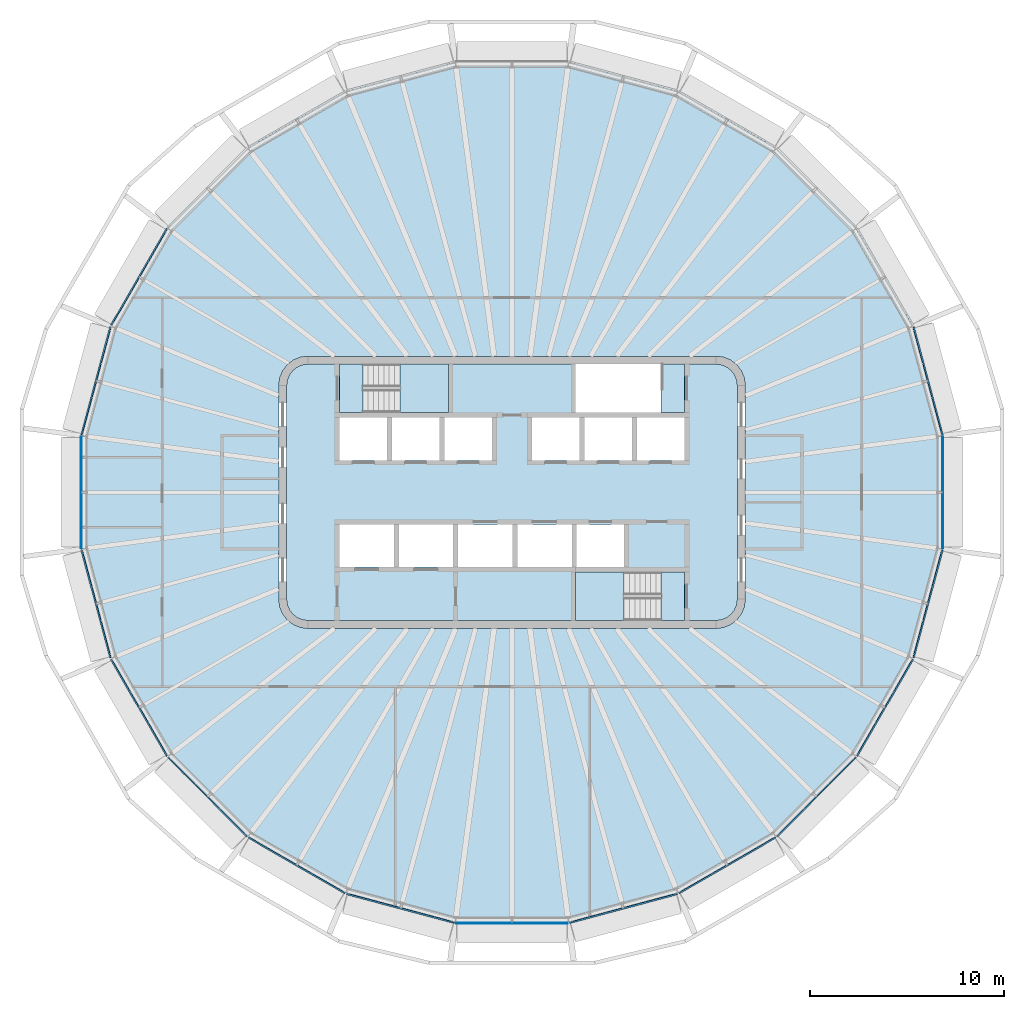
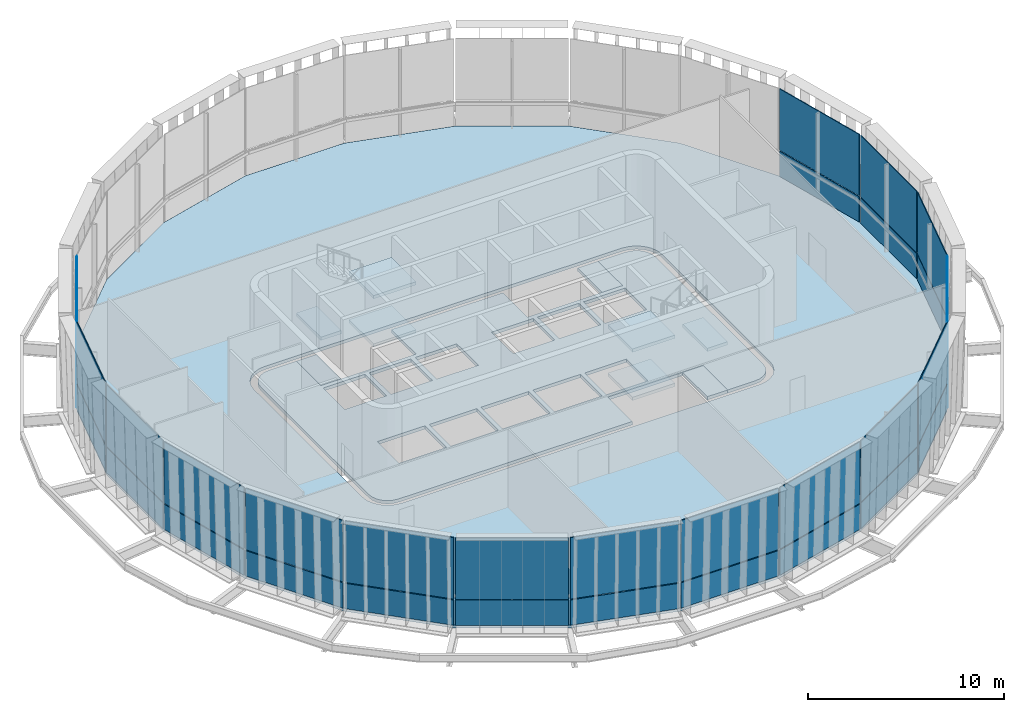
# One storey, part 5 of 14: 32 plates, 11 slabs, 18 elements without a shape of their own.
"""IFC4 building model written with IfcOpenShell, lengths in metres."""

from ifc_helpers import new_model, si_unit, direction, frame, origin, place, context, subcontext, project, spatial, polyline, outline, extrude, material, layer, layer_set, type_object, element, aggregate, save


model = new_model("IFC4")

# Units and contexts
model_context = context("Model", 3, precision=1e-05, world=origin(), true_north=direction((0.0, 1.0)))
body_context = subcontext(model_context, "Body", "Model", "MODEL_VIEW")
ifc_project = project(units=[si_unit("LENGTHUNIT", "METRE"), si_unit("AREAUNIT", "SQUARE_METRE"), si_unit("VOLUMEUNIT", "CUBIC_METRE"), si_unit("PLANEANGLEUNIT", "RADIAN"), si_unit("MASSUNIT", "GRAM", prefix="KILO")], contexts=[model_context])

# Site, building, storey
site_placement = place(None, origin())
site = spatial("IfcSite", under=ifc_project, at=site_placement, CompositionType="ELEMENT")
building_placement = place(site_placement, origin())
building = spatial("IfcBuilding", under=site, at=building_placement, Name="Sahrelin Media Tower", CompositionType="ELEMENT")
storey_placement = place(building_placement, frame((0.0, 0.0, 329.800048828125)))
storey = spatial("IfcBuildingStorey", under=building, at=storey_placement, Name="L73", CompositionType="ELEMENT", Elevation=329.800048828125)

# Slabs
ifc_material_1 = material(Name="Concrete C40/50", Category="concrete")
ifc_layer_1 = layer(ifc_material_1, 0.199951171875)
ifc_layer_set_1 = layer_set([ifc_layer_1], Name="Composite floor slab 200")
slab_type_1 = type_object("IfcSlabType", Name="Composite floor slab 200", PredefinedType="FLOOR", material=ifc_layer_set_1)
placement_1 = place(storey_placement, frame((0.0, 0.0, -0.199951171875)))
element("IfcSlab", 1, at=placement_1, inside=storey, type_object=slab_type_1, Name="Floor slab L73", PredefinedType="FLOOR", context=body_context, shape_type="SweptSolid", body=[
    extrude(outline(polyline([(22.15087890625, -2.916259765625), (22.15087890625, 2.916259765625), (20.641357421875, 8.5498046875), (17.72509765625, 13.600830078125), (13.600830078125, 17.72509765625), (8.5498046875, 20.641357421875), (2.916259765625, 22.15087890625), (-2.916259765625, 22.15087890625), (-8.5498046875, 20.641357421875), (-13.600830078125, 17.72509765625), (-17.72509765625, 13.600830078125), (-20.641357421875, 8.5498046875), (-22.15087890625, 2.916259765625), (-22.15087890625, -2.916259765625), (-20.641357421875, -8.5498046875), (-17.72509765625, -13.600830078125), (-13.600830078125, -17.72509765625), (-8.5498046875, -20.641357421875), (-2.916259765625, -22.15087890625), (2.916259765625, -22.15087890625), (8.5498046875, -20.641357421875), (13.600830078125, -17.72509765625), (17.72509765625, -13.600830078125), (20.641357421875, -8.5498046875), (22.15087890625, -2.916259765625)]), holes=[polyline([(11.948974609375, 5.88818359375), (12.0, 5.5), (12.0, -5.5), (11.948974609375, -5.88818359375), (11.799072265625, -6.25), (11.560791015625, -6.560791015625), (11.25, -6.799072265625), (10.88818359375, -6.948974609375), (10.5, -7.0), (-10.5, -7.0), (-10.88818359375, -6.948974609375), (-11.25, -6.799072265625), (-11.560791015625, -6.560791015625), (-11.799072265625, -6.25), (-11.948974609375, -5.88818359375), (-12.0, -5.5), (-12.0, 5.5), (-11.948974609375, 5.88818359375), (-11.799072265625, 6.25), (-11.560791015625, 6.560791015625), (-11.25, 6.799072265625), (-10.88818359375, 6.948974609375), (-10.5, 7.0), (10.5, 7.0), (10.88818359375, 6.948974609375), (11.25, 6.799072265625), (11.560791015625, 6.560791015625), (11.799072265625, 6.25), (11.948974609375, 5.88818359375)])]), origin(), (0.0, 0.0, 1.0), 0.199951171875),
])
ifc_layer_2 = layer(ifc_material_1, 0.199951171875)
ifc_layer_set_2 = layer_set([ifc_layer_2], Name="Core floor slab 200")
slab_type_2 = type_object("IfcSlabType", Name="Core floor slab 200", PredefinedType="FLOOR", material=ifc_layer_set_2)
element("IfcSlab", 2, at=placement_1, inside=storey, type_object=slab_type_2, Name="Core floor", PredefinedType="FLOOR", context=body_context, shape_type="SweptSolid", body=[
    extrude(outline(polyline([(-11.60009765625, -5.473876953125), (-11.55908203125, -5.78369140625), (-11.44970703125, -6.04833984375), (-11.275390625, -6.275390625), (-11.04833984375, -6.44970703125), (-10.78369140625, -6.55908203125), (-10.473876953125, -6.60009765625), (3.27490234375, -6.60009765625), (3.27490234375, -4.10009765625), (8.875, -4.10009765625), (8.875, -6.60009765625), (10.473876953125, -6.60009765625), (10.78369140625, -6.55908203125), (11.04833984375, -6.44970703125), (11.275390625, -6.275390625), (11.44970703125, -6.04833984375), (11.55908203125, -5.78369140625), (11.60009765625, -5.473876953125), (11.60009765625, 5.473876953125), (11.55908203125, 5.78369140625), (11.44970703125, 6.04833984375), (11.275390625, 6.275390625), (11.04833984375, 6.44970703125), (10.78369140625, 6.55908203125), (10.473876953125, 6.60009765625), (8.875, 6.60009765625), (8.875, 4.10009765625), (3.27490234375, 4.10009765625), (3.27490234375, 6.60009765625), (-3.27490234375, 6.60009765625), (-3.27490234375, 4.10009765625), (-8.875, 4.10009765625), (-8.875, 6.60009765625), (-10.473876953125, 6.60009765625), (-10.78369140625, 6.55908203125), (-11.04833984375, 6.44970703125), (-11.275390625, 6.275390625), (-11.44970703125, 6.04833984375), (-11.55908203125, 5.78369140625), (-11.60009765625, 5.473876953125), (-11.60009765625, -5.473876953125)]), holes=[polyline([(-8.875, 3.85009765625), (-8.875, 1.64990234375), (-6.425048828125, 1.64990234375), (-6.425048828125, 3.85009765625), (-8.875, 3.85009765625)]), polyline([(-3.72509765625, 3.85009765625), (-6.175048828125, 3.85009765625), (-6.175048828125, 1.64990234375), (-3.72509765625, 1.64990234375), (-3.72509765625, 3.85009765625)]), polyline([(-1.02490234375, 1.64990234375), (-1.02490234375, 3.85009765625), (-3.47509765625, 3.85009765625), (-3.47509765625, 1.64990234375), (-1.02490234375, 1.64990234375)]), polyline([(1.02490234375, 1.64990234375), (3.47509765625, 1.64990234375), (3.47509765625, 3.85009765625), (1.02490234375, 3.85009765625), (1.02490234375, 1.64990234375)]), polyline([(3.72509765625, 3.85009765625), (3.72509765625, 1.64990234375), (6.175048828125, 1.64990234375), (6.175048828125, 3.85009765625), (3.72509765625, 3.85009765625)]), polyline([(8.875, 3.85009765625), (6.425048828125, 3.85009765625), (6.425048828125, 1.64990234375), (8.875, 1.64990234375), (8.875, 3.85009765625)]), polyline([(-6.074951171875, -3.85009765625), (-6.074951171875, -1.64990234375), (-8.875, -1.64990234375), (-8.875, -3.85009765625), (-6.074951171875, -3.85009765625)]), polyline([(-5.824951171875, -3.85009765625), (-3.02490234375, -3.85009765625), (-3.02490234375, -1.64990234375), (-5.824951171875, -1.64990234375), (-5.824951171875, -3.85009765625)]), polyline([(-2.77490234375, -1.64990234375), (-2.77490234375, -3.85009765625), (0.02490234375, -3.85009765625), (0.02490234375, -1.64990234375), (-2.77490234375, -1.64990234375)]), polyline([(3.074951171875, -1.64990234375), (0.27490234375, -1.64990234375), (0.27490234375, -3.85009765625), (3.074951171875, -3.85009765625), (3.074951171875, -1.64990234375)]), polyline([(5.77490234375, -3.85009765625), (5.77490234375, -1.64990234375), (3.324951171875, -1.64990234375), (3.324951171875, -3.85009765625), (5.77490234375, -3.85009765625)])]), origin(), (0.0, 0.0, 1.0), 0.199951171875),
])

# Curtain wall, plates
ifc_material_2 = material(Name="Champagne anodised aluminium 6063-T6", Category="aluminium")
ifc_layer_3 = layer(ifc_material_2, 0.14990234375)
ifc_layer_set_3 = layer_set([ifc_layer_3], Name="Observation curtain wall")
curtain_wall_type = type_object("IfcCurtainWallType", Name="Observation curtain wall", PredefinedType="NOTDEFINED", material=ifc_layer_set_3)
curtain_wall_1_placement = place(storey_placement, frame((22.1708984375, 0.0, 0.0), z_axis=(0.0, 0.0, 1.0), x_axis=(1.0, 0.0, 0.0)))
curtain_wall_1 = element("IfcCurtainWall", 3, at=curtain_wall_1_placement, inside=storey, type_object=curtain_wall_type, Name="L73:CW:L73-00", PredefinedType="NOTDEFINED")
ifc_material_3 = material(Name="Clear low-iron glazing", Category="glass")
ifc_layer_4 = layer(ifc_material_3, 0.050048828125)
ifc_layer_set_4 = layer_set([ifc_layer_4], Name="Glazing panel 50 mm CW3B")
plate_type = type_object("IfcPlateType", Name="Glazing panel 50 mm CW3B", PredefinedType="CURTAIN_PANEL", material=ifc_layer_set_4)
plate_1_placement = place(storey_placement, frame((22.19091796875, -2.868896484375, 0.0), z_axis=(1.0, 0.0, 0.0), x_axis=(0.0, 1.0, 0.0)))
plate_1 = element("IfcPlate", 4, at=plate_1_placement, type_object=plate_type, Name="L73:CWP1:L73-00", PredefinedType="CURTAIN_PANEL", context=body_context, shape_type="SweptSolid", body=[
    extrude(outline(polyline([(0.0, 0.0), (5.73779296875, 0.0), (5.73779296875, 1.570068359375), (0.0, 1.570068359375), (0.0, 0.0)])), origin(), (0.0, 0.0, -1.0), 0.050048828125),
])
plate_2_placement = place(storey_placement, frame((22.19091796875, -2.868896484375, 1.6298828125), z_axis=(1.0, 0.0, 0.0), x_axis=(0.0, 1.0, 0.0)))
plate_2 = element("IfcPlate", 5, at=plate_2_placement, type_object=plate_type, Name="L73:CWP2:L73-00", PredefinedType="CURTAIN_PANEL", context=body_context, shape_type="SweptSolid", body=[
    extrude(outline(polyline([(0.0, 0.0), (5.73779296875, 0.0), (5.73779296875, 3.818603515625), (0.0, 3.818603515625), (0.0, 0.0)])), origin(), (0.0, 0.0, -1.0), 0.050048828125),
])
aggregate(curtain_wall_1, [plate_1, plate_2])

curtain_wall_2_placement = place(storey_placement, frame((21.415283203125, 5.73828125, 0.0), z_axis=(0.0, 0.0, 1.0), x_axis=(1.0, 0.0, 0.0)))
curtain_wall_2 = element("IfcCurtainWall", 6, at=curtain_wall_2_placement, inside=storey, type_object=curtain_wall_type, Name="L73:CW:L73-01", PredefinedType="NOTDEFINED")
plate_3_placement = place(storey_placement, frame((22.17724609375, 2.972412109375, 0.0), z_axis=(0.965919939759, 0.258841012932, 0.0), x_axis=(-0.258841012932, 0.965919939759, 0.0)))
plate_3 = element("IfcPlate", 7, at=plate_3_placement, type_object=plate_type, Name="L73:CWP1:L73-01", PredefinedType="CURTAIN_PANEL", context=body_context, shape_type="SweptSolid", body=[
    extrude(outline(polyline([(0.0, 0.0), (5.737548828125, 0.0), (5.737548828125, 1.570068359375), (0.0, 1.570068359375), (0.0, 0.0)])), origin(), (0.0, 0.0, -1.0), 0.050048828125),
])
plate_4_placement = place(storey_placement, frame((22.17724609375, 2.972412109375, 1.6298828125), z_axis=(0.965919939759, 0.258841012932, 0.0), x_axis=(-0.258841012932, 0.965919939759, 0.0)))
plate_4 = element("IfcPlate", 8, at=plate_4_placement, type_object=plate_type, Name="L73:CWP2:L73-01", PredefinedType="CURTAIN_PANEL", context=body_context, shape_type="SweptSolid", body=[
    extrude(outline(polyline([(0.0, 0.0), (5.737548828125, 0.0), (5.737548828125, 3.818603515625), (0.0, 3.818603515625), (0.0, 0.0)])), origin(), (0.0, 0.0, -1.0), 0.050048828125),
])
aggregate(curtain_wall_2, [plate_3, plate_4])

curtain_wall_3_placement = place(storey_placement, frame((-19.200439453125, 11.08544921875, 0.0), z_axis=(0.0, 0.0, 1.0), x_axis=(1.0, 0.0, 0.0)))
curtain_wall_3 = element("IfcCurtainWall", 9, at=curtain_wall_3_placement, inside=storey, type_object=curtain_wall_type, Name="L73:CW:L73-10", PredefinedType="NOTDEFINED")
plate_5_placement = place(storey_placement, frame((-17.783447265625, 13.579833984375, 0.0), z_axis=(-0.866040328277, 0.49997414913, 0.0), x_axis=(-0.49997414913, -0.866040328277, 0.0)))
plate_5 = element("IfcPlate", 10, at=plate_5_placement, type_object=plate_type, Name="L73:CWP1:L73-10", PredefinedType="CURTAIN_PANEL", context=body_context, shape_type="SweptSolid", body=[
    extrude(outline(polyline([(0.0, 0.0), (5.737548828125, 0.0), (5.737548828125, 1.570068359375), (0.0, 1.570068359375), (0.0, 0.0)])), origin(), (0.0, 0.0, -1.0), 0.050048828125),
])
plate_6_placement = place(storey_placement, frame((-17.783447265625, 13.579833984375, 1.6298828125), z_axis=(-0.866040328277, 0.49997414913, 0.0), x_axis=(-0.49997414913, -0.866040328277, 0.0)))
plate_6 = element("IfcPlate", 11, at=plate_6_placement, type_object=plate_type, Name="L73:CWP2:L73-10", PredefinedType="CURTAIN_PANEL", context=body_context, shape_type="SweptSolid", body=[
    extrude(outline(polyline([(0.0, 0.0), (5.737548828125, 0.0), (5.737548828125, 3.818603515625), (0.0, 3.818603515625), (0.0, 0.0)])), origin(), (0.0, 0.0, -1.0), 0.050048828125),
])
aggregate(curtain_wall_3, [plate_5, plate_6])

curtain_wall_4_placement = place(storey_placement, frame((-21.415283203125, 5.73828125, 0.0), z_axis=(0.0, 0.0, 1.0), x_axis=(1.0, 0.0, 0.0)))
curtain_wall_4 = element("IfcCurtainWall", 12, at=curtain_wall_4_placement, inside=storey, type_object=curtain_wall_type, Name="L73:CW:L73-11", PredefinedType="NOTDEFINED")
plate_7_placement = place(storey_placement, frame((-20.692138671875, 8.514404296875, 0.0), z_axis=(-0.965919939759, 0.258841012932, 0.0), x_axis=(-0.258841012932, -0.965919939759, 0.0)))
plate_7 = element("IfcPlate", 13, at=plate_7_placement, type_object=plate_type, Name="L73:CWP1:L73-11", PredefinedType="CURTAIN_PANEL", context=body_context, shape_type="SweptSolid", body=[
    extrude(outline(polyline([(0.0, 0.0), (5.737548828125, 0.0), (5.737548828125, 1.570068359375), (0.0, 1.570068359375), (0.0, 0.0)])), origin(), (0.0, 0.0, -1.0), 0.050048828125),
])
plate_8_placement = place(storey_placement, frame((-20.692138671875, 8.514404296875, 1.6298828125), z_axis=(-0.965919939759, 0.258841012932, 0.0), x_axis=(-0.258841012932, -0.965919939759, 0.0)))
plate_8 = element("IfcPlate", 14, at=plate_8_placement, type_object=plate_type, Name="L73:CWP2:L73-11", PredefinedType="CURTAIN_PANEL", context=body_context, shape_type="SweptSolid", body=[
    extrude(outline(polyline([(0.0, 0.0), (5.737548828125, 0.0), (5.737548828125, 3.818603515625), (0.0, 3.818603515625), (0.0, 0.0)])), origin(), (0.0, 0.0, -1.0), 0.050048828125),
])
aggregate(curtain_wall_4, [plate_7, plate_8])

curtain_wall_5_placement = place(storey_placement, frame((-22.1708984375, 0.0, 0.0), z_axis=(0.0, 0.0, 1.0), x_axis=(1.0, 0.0, 0.0)))
curtain_wall_5 = element("IfcCurtainWall", 15, at=curtain_wall_5_placement, inside=storey, type_object=curtain_wall_type, Name="L73:CW:L73-12", PredefinedType="NOTDEFINED")
plate_9_placement = place(storey_placement, frame((-22.19091796875, 2.868896484375, 0.0), z_axis=(-1.0, 0.0, 0.0), x_axis=(0.0, -1.0, 0.0)))
plate_9 = element("IfcPlate", 16, at=plate_9_placement, type_object=plate_type, Name="L73:CWP1:L73-12", PredefinedType="CURTAIN_PANEL", context=body_context, shape_type="SweptSolid", body=[
    extrude(outline(polyline([(0.0, 0.0), (5.73779296875, 0.0), (5.73779296875, 1.570068359375), (0.0, 1.570068359375), (0.0, 0.0)])), origin(), (0.0, 0.0, -1.0), 0.050048828125),
])
plate_10_placement = place(storey_placement, frame((-22.19091796875, 2.868896484375, 1.6298828125), z_axis=(-1.0, 0.0, 0.0), x_axis=(0.0, -1.0, 0.0)))
plate_10 = element("IfcPlate", 17, at=plate_10_placement, type_object=plate_type, Name="L73:CWP2:L73-12", PredefinedType="CURTAIN_PANEL", context=body_context, shape_type="SweptSolid", body=[
    extrude(outline(polyline([(0.0, 0.0), (5.73779296875, 0.0), (5.73779296875, 3.818603515625), (0.0, 3.818603515625), (0.0, 0.0)])), origin(), (0.0, 0.0, -1.0), 0.050048828125),
])
aggregate(curtain_wall_5, [plate_9, plate_10])

curtain_wall_6_placement = place(storey_placement, frame((-21.415283203125, -5.73828125, 0.0), z_axis=(0.0, 0.0, 1.0), x_axis=(1.0, 0.0, 0.0)))
curtain_wall_6 = element("IfcCurtainWall", 18, at=curtain_wall_6_placement, inside=storey, type_object=curtain_wall_type, Name="L73:CW:L73-13", PredefinedType="NOTDEFINED")
plate_11_placement = place(storey_placement, frame((-22.17724609375, -2.972412109375, 0.0), z_axis=(-0.965919939759, -0.258841012932, 0.0), x_axis=(0.258841012932, -0.965919939759, 0.0)))
plate_11 = element("IfcPlate", 19, at=plate_11_placement, type_object=plate_type, Name="L73:CWP1:L73-13", PredefinedType="CURTAIN_PANEL", context=body_context, shape_type="SweptSolid", body=[
    extrude(outline(polyline([(0.0, 0.0), (5.737548828125, 0.0), (5.737548828125, 1.570068359375), (0.0, 1.570068359375), (0.0, 0.0)])), origin(), (0.0, 0.0, -1.0), 0.050048828125),
])
plate_12_placement = place(storey_placement, frame((-22.17724609375, -2.972412109375, 1.6298828125), z_axis=(-0.965919939759, -0.258841012932, 0.0), x_axis=(0.258841012932, -0.965919939759, 0.0)))
plate_12 = element("IfcPlate", 20, at=plate_12_placement, type_object=plate_type, Name="L73:CWP2:L73-13", PredefinedType="CURTAIN_PANEL", context=body_context, shape_type="SweptSolid", body=[
    extrude(outline(polyline([(0.0, 0.0), (5.737548828125, 0.0), (5.737548828125, 3.818603515625), (0.0, 3.818603515625), (0.0, 0.0)])), origin(), (0.0, 0.0, -1.0), 0.050048828125),
])
aggregate(curtain_wall_6, [plate_11, plate_12])

curtain_wall_7_placement = place(storey_placement, frame((-19.200439453125, -11.08544921875, 0.0), z_axis=(0.0, 0.0, 1.0), x_axis=(1.0, 0.0, 0.0)))
curtain_wall_7 = element("IfcCurtainWall", 21, at=curtain_wall_7_placement, inside=storey, type_object=curtain_wall_type, Name="L73:CW:L73-14", PredefinedType="NOTDEFINED")
plate_13_placement = place(storey_placement, frame((-20.652099609375, -8.61083984375, 0.0), z_axis=(-0.866040328277, -0.49997414913, 0.0), x_axis=(0.49997414913, -0.866040328277, 0.0)))
plate_13 = element("IfcPlate", 22, at=plate_13_placement, type_object=plate_type, Name="L73:CWP1:L73-14", PredefinedType="CURTAIN_PANEL", context=body_context, shape_type="SweptSolid", body=[
    extrude(outline(polyline([(0.0, 0.0), (5.737548828125, 0.0), (5.737548828125, 1.570068359375), (0.0, 1.570068359375), (0.0, 0.0)])), origin(), (0.0, 0.0, -1.0), 0.050048828125),
])
plate_14_placement = place(storey_placement, frame((-20.652099609375, -8.61083984375, 1.6298828125), z_axis=(-0.866040328277, -0.49997414913, 0.0), x_axis=(0.49997414913, -0.866040328277, 0.0)))
plate_14 = element("IfcPlate", 23, at=plate_14_placement, type_object=plate_type, Name="L73:CWP2:L73-14", PredefinedType="CURTAIN_PANEL", context=body_context, shape_type="SweptSolid", body=[
    extrude(outline(polyline([(0.0, 0.0), (5.737548828125, 0.0), (5.737548828125, 3.818603515625), (0.0, 3.818603515625), (0.0, 0.0)])), origin(), (0.0, 0.0, -1.0), 0.050048828125),
])
aggregate(curtain_wall_7, [plate_13, plate_14])

curtain_wall_8_placement = place(storey_placement, frame((-15.67724609375, -15.67724609375, 0.0), z_axis=(0.0, 0.0, 1.0), x_axis=(1.0, 0.0, 0.0)))
curtain_wall_8 = element("IfcCurtainWall", 24, at=curtain_wall_8_placement, inside=storey, type_object=curtain_wall_type, Name="L73:CW:L73-15", PredefinedType="NOTDEFINED")
plate_15_placement = place(storey_placement, frame((-17.719970703125, -13.66259765625, 0.0), z_axis=(-0.707106781187, -0.707106781187, 0.0), x_axis=(0.707106781187, -0.707106781187, 0.0)))
plate_15 = element("IfcPlate", 25, at=plate_15_placement, type_object=plate_type, Name="L73:CWP1:L73-15", PredefinedType="CURTAIN_PANEL", context=body_context, shape_type="SweptSolid", body=[
    extrude(outline(polyline([(0.0, 0.0), (5.738037109375, 0.0), (5.738037109375, 1.570068359375), (0.0, 1.570068359375), (0.0, 0.0)])), origin(), (0.0, 0.0, -1.0), 0.050048828125),
])
plate_16_placement = place(storey_placement, frame((-17.719970703125, -13.66259765625, 1.6298828125), z_axis=(-0.707106781187, -0.707106781187, 0.0), x_axis=(0.707106781187, -0.707106781187, 0.0)))
plate_16 = element("IfcPlate", 26, at=plate_16_placement, type_object=plate_type, Name="L73:CWP2:L73-15", PredefinedType="CURTAIN_PANEL", context=body_context, shape_type="SweptSolid", body=[
    extrude(outline(polyline([(0.0, 0.0), (5.738037109375, 0.0), (5.738037109375, 3.818603515625), (0.0, 3.818603515625), (0.0, 0.0)])), origin(), (0.0, 0.0, -1.0), 0.050048828125),
])
aggregate(curtain_wall_8, [plate_15, plate_16])

curtain_wall_9_placement = place(storey_placement, frame((-11.08544921875, -19.200439453125, 0.0), z_axis=(0.0, 0.0, 1.0), x_axis=(1.0, 0.0, 0.0)))
curtain_wall_9 = element("IfcCurtainWall", 27, at=curtain_wall_9_placement, inside=storey, type_object=curtain_wall_type, Name="L73:CW:L73-16", PredefinedType="NOTDEFINED")
plate_17_placement = place(storey_placement, frame((-13.579833984375, -17.783447265625, 0.0), z_axis=(-0.49997414913, -0.866040328277, 0.0), x_axis=(0.866040328277, -0.49997414913, 0.0)))
plate_17 = element("IfcPlate", 28, at=plate_17_placement, type_object=plate_type, Name="L73:CWP1:L73-16", PredefinedType="CURTAIN_PANEL", context=body_context, shape_type="SweptSolid", body=[
    extrude(outline(polyline([(0.0, 0.0), (5.737548828125, 0.0), (5.737548828125, 1.570068359375), (0.0, 1.570068359375), (0.0, 0.0)])), origin(), (0.0, 0.0, -1.0), 0.050048828125),
])
plate_18_placement = place(storey_placement, frame((-13.579833984375, -17.783447265625, 1.6298828125), z_axis=(-0.49997414913, -0.866040328277, 0.0), x_axis=(0.866040328277, -0.49997414913, 0.0)))
plate_18 = element("IfcPlate", 29, at=plate_18_placement, type_object=plate_type, Name="L73:CWP2:L73-16", PredefinedType="CURTAIN_PANEL", context=body_context, shape_type="SweptSolid", body=[
    extrude(outline(polyline([(0.0, 0.0), (5.737548828125, 0.0), (5.737548828125, 3.818603515625), (0.0, 3.818603515625), (0.0, 0.0)])), origin(), (0.0, 0.0, -1.0), 0.050048828125),
])
aggregate(curtain_wall_9, [plate_17, plate_18])

curtain_wall_10_placement = place(storey_placement, frame((-5.73828125, -21.415283203125, 0.0), z_axis=(0.0, 0.0, 1.0), x_axis=(1.0, 0.0, 0.0)))
curtain_wall_10 = element("IfcCurtainWall", 30, at=curtain_wall_10_placement, inside=storey, type_object=curtain_wall_type, Name="L73:CW:L73-17", PredefinedType="NOTDEFINED")
plate_19_placement = place(storey_placement, frame((-8.514404296875, -20.692138671875, 0.0), z_axis=(-0.258841012932, -0.965919939759, 0.0), x_axis=(0.965919939759, -0.258841012932, 0.0)))
plate_19 = element("IfcPlate", 31, at=plate_19_placement, type_object=plate_type, Name="L73:CWP1:L73-17", PredefinedType="CURTAIN_PANEL", context=body_context, shape_type="SweptSolid", body=[
    extrude(outline(polyline([(0.0, 0.0), (5.737548828125, 0.0), (5.737548828125, 1.570068359375), (0.0, 1.570068359375), (0.0, 0.0)])), origin(), (0.0, 0.0, -1.0), 0.050048828125),
])
plate_20_placement = place(storey_placement, frame((-8.514404296875, -20.692138671875, 1.6298828125), z_axis=(-0.258841012932, -0.965919939759, 0.0), x_axis=(0.965919939759, -0.258841012932, 0.0)))
plate_20 = element("IfcPlate", 32, at=plate_20_placement, type_object=plate_type, Name="L73:CWP2:L73-17", PredefinedType="CURTAIN_PANEL", context=body_context, shape_type="SweptSolid", body=[
    extrude(outline(polyline([(0.0, 0.0), (5.737548828125, 0.0), (5.737548828125, 3.818603515625), (0.0, 3.818603515625), (0.0, 0.0)])), origin(), (0.0, 0.0, -1.0), 0.050048828125),
])
aggregate(curtain_wall_10, [plate_19, plate_20])

curtain_wall_11_placement = place(storey_placement, frame((0.0, -22.1708984375, 0.0), z_axis=(0.0, 0.0, 1.0), x_axis=(1.0, 0.0, 0.0)))
curtain_wall_11 = element("IfcCurtainWall", 33, at=curtain_wall_11_placement, inside=storey, type_object=curtain_wall_type, Name="L73:CW:L73-18", PredefinedType="NOTDEFINED")
plate_21_placement = place(storey_placement, frame((-2.868896484375, -22.19091796875, 0.0), z_axis=(0.0, -1.0, 0.0), x_axis=(1.0, 0.0, 0.0)))
plate_21 = element("IfcPlate", 34, at=plate_21_placement, type_object=plate_type, Name="L73:CWP1:L73-18", PredefinedType="CURTAIN_PANEL", context=body_context, shape_type="SweptSolid", body=[
    extrude(outline(polyline([(0.0, 0.0), (5.73779296875, 0.0), (5.73779296875, 1.570068359375), (0.0, 1.570068359375), (0.0, 0.0)])), origin(), (0.0, 0.0, -1.0), 0.050048828125),
])
plate_22_placement = place(storey_placement, frame((-2.868896484375, -22.19091796875, 1.6298828125), z_axis=(0.0, -1.0, 0.0), x_axis=(1.0, 0.0, 0.0)))
plate_22 = element("IfcPlate", 35, at=plate_22_placement, type_object=plate_type, Name="L73:CWP2:L73-18", PredefinedType="CURTAIN_PANEL", context=body_context, shape_type="SweptSolid", body=[
    extrude(outline(polyline([(0.0, 0.0), (5.73779296875, 0.0), (5.73779296875, 3.818603515625), (0.0, 3.818603515625), (0.0, 0.0)])), origin(), (0.0, 0.0, -1.0), 0.050048828125),
])
aggregate(curtain_wall_11, [plate_21, plate_22])

curtain_wall_12_placement = place(storey_placement, frame((5.73828125, -21.415283203125, 0.0), z_axis=(0.0, 0.0, 1.0), x_axis=(1.0, 0.0, 0.0)))
curtain_wall_12 = element("IfcCurtainWall", 36, at=curtain_wall_12_placement, inside=storey, type_object=curtain_wall_type, Name="L73:CW:L73-19", PredefinedType="NOTDEFINED")
plate_23_placement = place(storey_placement, frame((2.972412109375, -22.17724609375, 0.0), z_axis=(0.258841012932, -0.965919939759, 0.0), x_axis=(0.965919939759, 0.258841012932, 0.0)))
plate_23 = element("IfcPlate", 37, at=plate_23_placement, type_object=plate_type, Name="L73:CWP1:L73-19", PredefinedType="CURTAIN_PANEL", context=body_context, shape_type="SweptSolid", body=[
    extrude(outline(polyline([(0.0, 0.0), (5.737548828125, 0.0), (5.737548828125, 1.570068359375), (0.0, 1.570068359375), (0.0, 0.0)])), origin(), (0.0, 0.0, -1.0), 0.050048828125),
])
plate_24_placement = place(storey_placement, frame((2.972412109375, -22.17724609375, 1.6298828125), z_axis=(0.258841012932, -0.965919939759, 0.0), x_axis=(0.965919939759, 0.258841012932, 0.0)))
plate_24 = element("IfcPlate", 38, at=plate_24_placement, type_object=plate_type, Name="L73:CWP2:L73-19", PredefinedType="CURTAIN_PANEL", context=body_context, shape_type="SweptSolid", body=[
    extrude(outline(polyline([(0.0, 0.0), (5.737548828125, 0.0), (5.737548828125, 3.818603515625), (0.0, 3.818603515625), (0.0, 0.0)])), origin(), (0.0, 0.0, -1.0), 0.050048828125),
])
aggregate(curtain_wall_12, [plate_23, plate_24])

curtain_wall_13_placement = place(storey_placement, frame((11.08544921875, -19.200439453125, 0.0), z_axis=(0.0, 0.0, 1.0), x_axis=(1.0, 0.0, 0.0)))
curtain_wall_13 = element("IfcCurtainWall", 39, at=curtain_wall_13_placement, inside=storey, type_object=curtain_wall_type, Name="L73:CW:L73-20", PredefinedType="NOTDEFINED")
plate_25_placement = place(storey_placement, frame((8.61083984375, -20.652099609375, 0.0), z_axis=(0.49997414913, -0.866040328277, 0.0), x_axis=(0.866040328277, 0.49997414913, 0.0)))
plate_25 = element("IfcPlate", 40, at=plate_25_placement, type_object=plate_type, Name="L73:CWP1:L73-20", PredefinedType="CURTAIN_PANEL", context=body_context, shape_type="SweptSolid", body=[
    extrude(outline(polyline([(0.0, 0.0), (5.737548828125, 0.0), (5.737548828125, 1.570068359375), (0.0, 1.570068359375), (0.0, 0.0)])), origin(), (0.0, 0.0, -1.0), 0.050048828125),
])
plate_26_placement = place(storey_placement, frame((8.61083984375, -20.652099609375, 1.6298828125), z_axis=(0.49997414913, -0.866040328277, 0.0), x_axis=(0.866040328277, 0.49997414913, 0.0)))
plate_26 = element("IfcPlate", 41, at=plate_26_placement, type_object=plate_type, Name="L73:CWP2:L73-20", PredefinedType="CURTAIN_PANEL", context=body_context, shape_type="SweptSolid", body=[
    extrude(outline(polyline([(0.0, 0.0), (5.737548828125, 0.0), (5.737548828125, 3.818603515625), (0.0, 3.818603515625), (0.0, 0.0)])), origin(), (0.0, 0.0, -1.0), 0.050048828125),
])
aggregate(curtain_wall_13, [plate_25, plate_26])

curtain_wall_14_placement = place(storey_placement, frame((15.677001953125, -15.677001953125, 0.0), z_axis=(0.0, 0.0, 1.0), x_axis=(1.0, 0.0, 0.0)))
curtain_wall_14 = element("IfcCurtainWall", 42, at=curtain_wall_14_placement, inside=storey, type_object=curtain_wall_type, Name="L73:CW:L73-21", PredefinedType="NOTDEFINED")
plate_27_placement = place(storey_placement, frame((13.66259765625, -17.719970703125, 0.0), z_axis=(0.707106781187, -0.707106781187, 0.0), x_axis=(0.707106781187, 0.707106781187, 0.0)))
plate_27 = element("IfcPlate", 43, at=plate_27_placement, type_object=plate_type, Name="L73:CWP1:L73-21", PredefinedType="CURTAIN_PANEL", context=body_context, shape_type="SweptSolid", body=[
    extrude(outline(polyline([(0.0, 0.0), (5.738037109375, 0.0), (5.738037109375, 1.570068359375), (0.0, 1.570068359375), (0.0, 0.0)])), origin(), (0.0, 0.0, -1.0), 0.050048828125),
])
plate_28_placement = place(storey_placement, frame((13.66259765625, -17.719970703125, 1.6298828125), z_axis=(0.707106781187, -0.707106781187, 0.0), x_axis=(0.707106781187, 0.707106781187, 0.0)))
plate_28 = element("IfcPlate", 44, at=plate_28_placement, type_object=plate_type, Name="L73:CWP2:L73-21", PredefinedType="CURTAIN_PANEL", context=body_context, shape_type="SweptSolid", body=[
    extrude(outline(polyline([(0.0, 0.0), (5.738037109375, 0.0), (5.738037109375, 3.818603515625), (0.0, 3.818603515625), (0.0, 0.0)])), origin(), (0.0, 0.0, -1.0), 0.050048828125),
])
aggregate(curtain_wall_14, [plate_27, plate_28])

curtain_wall_15_placement = place(storey_placement, frame((19.200439453125, -11.08544921875, 0.0), z_axis=(0.0, 0.0, 1.0), x_axis=(1.0, 0.0, 0.0)))
curtain_wall_15 = element("IfcCurtainWall", 45, at=curtain_wall_15_placement, inside=storey, type_object=curtain_wall_type, Name="L73:CW:L73-22", PredefinedType="NOTDEFINED")
plate_29_placement = place(storey_placement, frame((17.783447265625, -13.579833984375, 0.0), z_axis=(0.866040328277, -0.49997414913, 0.0), x_axis=(0.49997414913, 0.866040328277, 0.0)))
plate_29 = element("IfcPlate", 46, at=plate_29_placement, type_object=plate_type, Name="L73:CWP1:L73-22", PredefinedType="CURTAIN_PANEL", context=body_context, shape_type="SweptSolid", body=[
    extrude(outline(polyline([(0.0, 0.0), (5.737548828125, 0.0), (5.737548828125, 1.570068359375), (0.0, 1.570068359375), (0.0, 0.0)])), origin(), (0.0, 0.0, -1.0), 0.050048828125),
])
plate_30_placement = place(storey_placement, frame((17.783447265625, -13.579833984375, 1.6298828125), z_axis=(0.866040328277, -0.49997414913, 0.0), x_axis=(0.49997414913, 0.866040328277, 0.0)))
plate_30 = element("IfcPlate", 47, at=plate_30_placement, type_object=plate_type, Name="L73:CWP2:L73-22", PredefinedType="CURTAIN_PANEL", context=body_context, shape_type="SweptSolid", body=[
    extrude(outline(polyline([(0.0, 0.0), (5.737548828125, 0.0), (5.737548828125, 3.818603515625), (0.0, 3.818603515625), (0.0, 0.0)])), origin(), (0.0, 0.0, -1.0), 0.050048828125),
])
aggregate(curtain_wall_15, [plate_29, plate_30])

curtain_wall_16_placement = place(storey_placement, frame((21.415283203125, -5.73828125, 0.0), z_axis=(0.0, 0.0, 1.0), x_axis=(1.0, 0.0, 0.0)))
curtain_wall_16 = element("IfcCurtainWall", 48, at=curtain_wall_16_placement, inside=storey, type_object=curtain_wall_type, Name="L73:CW:L73-23", PredefinedType="NOTDEFINED")
plate_31_placement = place(storey_placement, frame((20.692138671875, -8.514404296875, 0.0), z_axis=(0.965919939759, -0.258841012932, 0.0), x_axis=(0.258841012932, 0.965919939759, 0.0)))
plate_31 = element("IfcPlate", 49, at=plate_31_placement, type_object=plate_type, Name="L73:CWP1:L73-23", PredefinedType="CURTAIN_PANEL", context=body_context, shape_type="SweptSolid", body=[
    extrude(outline(polyline([(0.0, 0.0), (5.737548828125, 0.0), (5.737548828125, 1.570068359375), (0.0, 1.570068359375), (0.0, 0.0)])), origin(), (0.0, 0.0, -1.0), 0.050048828125),
])
plate_32_placement = place(storey_placement, frame((20.692138671875, -8.514404296875, 1.6298828125), z_axis=(0.965919939759, -0.258841012932, 0.0), x_axis=(0.258841012932, 0.965919939759, 0.0)))
plate_32 = element("IfcPlate", 50, at=plate_32_placement, type_object=plate_type, Name="L73:CWP2:L73-23", PredefinedType="CURTAIN_PANEL", context=body_context, shape_type="SweptSolid", body=[
    extrude(outline(polyline([(0.0, 0.0), (5.737548828125, 0.0), (5.737548828125, 3.818603515625), (0.0, 3.818603515625), (0.0, 0.0)])), origin(), (0.0, 0.0, -1.0), 0.050048828125),
])
aggregate(curtain_wall_16, [plate_31, plate_32])

# Stair, slabs
stair_type = type_object("IfcStairType", Name="Exit stair 1200", PredefinedType="HALF_TURN_STAIR", material=ifc_material_1)
placement_2 = place(storey_placement, origin())
stair_1 = element("IfcStair", 51, at=placement_2, inside=storey, type_object=stair_type, Name="L73 Exit stair ST1", PredefinedType="HALF_TURN_STAIR")
ifc_layer_5 = layer(ifc_material_1, 0.199951171875)
ifc_layer_set_5 = layer_set([ifc_layer_5], Name="Stair landing 200")
slab_type_3 = type_object("IfcSlabType", Name="Stair landing 200", PredefinedType="LANDING", material=ifc_layer_set_5)
placement_3 = place(storey_placement, frame((0.0, 0.0, 1.300048828125)))
slab_3 = element("IfcSlab", 52, at=placement_3, type_object=slab_type_3, Name="ST1 landing 1", PredefinedType="LANDING", context=body_context, shape_type="SweptSolid", body=[
    extrude(outline(polyline([(-5.77490234375, 4.10009765625), (-3.27490234375, 4.10009765625), (-3.27490234375, 6.60009765625), (-5.77490234375, 6.60009765625), (-5.77490234375, 4.10009765625)])), origin(), (0.0, 0.0, 1.0), 0.199951171875),
])
placement_4 = place(storey_placement, frame((0.0, 0.0, 2.800048828125)))
slab_4 = element("IfcSlab", 53, at=placement_4, type_object=slab_type_3, Name="ST1 landing 2", PredefinedType="LANDING", context=body_context, shape_type="SweptSolid", body=[
    extrude(outline(polyline([(-8.875, 4.10009765625), (-7.675048828125, 4.10009765625), (-7.675048828125, 6.60009765625), (-8.875, 6.60009765625), (-8.875, 4.10009765625)])), origin(), (0.0, 0.0, 1.0), 0.199951171875),
])
placement_5 = place(storey_placement, frame((0.0, 0.0, 4.300048828125)))
slab_5 = element("IfcSlab", 54, at=placement_5, type_object=slab_type_3, Name="ST1 landing 3", PredefinedType="LANDING", context=body_context, shape_type="SweptSolid", body=[
    extrude(outline(polyline([(-5.77490234375, 4.10009765625), (-3.27490234375, 4.10009765625), (-3.27490234375, 6.60009765625), (-5.77490234375, 6.60009765625), (-5.77490234375, 4.10009765625)])), origin(), (0.0, 0.0, 1.0), 0.199951171875),
])
slab_6 = element("IfcSlab", 55, at=placement_1, type_object=slab_type_3, Name="ST1 landing 4", PredefinedType="LANDING", context=body_context, shape_type="SweptSolid", body=[
    extrude(outline(polyline([(-8.875, 4.10009765625), (-7.675048828125, 4.10009765625), (-7.675048828125, 6.60009765625), (-8.875, 6.60009765625), (-8.875, 4.10009765625)])), origin(), (0.0, 0.0, 1.0), 0.199951171875),
])
aggregate(stair_1, [slab_3, slab_4, slab_5, slab_6])

# Slab
element("IfcSlab", 56, at=placement_1, inside=storey, type_object=slab_type_3, Name="ST3 L73 floor landing", PredefinedType="LANDING", context=body_context, shape_type="SweptSolid", body=[
    extrude(outline(polyline([(8.875, 6.60009765625), (7.675048828125, 6.60009765625), (7.675048828125, 4.10009765625), (8.875, 4.10009765625), (8.875, 6.60009765625)])), origin(), (0.0, 0.0, 1.0), 0.199951171875),
])

# Stair, slabs
stair_2 = element("IfcStair", 57, at=placement_2, inside=storey, type_object=stair_type, Name="L73 Exit stair ST2", PredefinedType="HALF_TURN_STAIR")
slab_8 = element("IfcSlab", 58, at=placement_3, type_object=slab_type_3, Name="ST2 landing 1", PredefinedType="LANDING", context=body_context, shape_type="SweptSolid", body=[
    extrude(outline(polyline([(5.77490234375, -4.10009765625), (3.27490234375, -4.10009765625), (3.27490234375, -6.60009765625), (5.77490234375, -6.60009765625), (5.77490234375, -4.10009765625)])), origin(), (0.0, 0.0, 1.0), 0.199951171875),
])
slab_9 = element("IfcSlab", 59, at=placement_4, type_object=slab_type_3, Name="ST2 landing 2", PredefinedType="LANDING", context=body_context, shape_type="SweptSolid", body=[
    extrude(outline(polyline([(8.875, -4.10009765625), (7.675048828125, -4.10009765625), (7.675048828125, -6.60009765625), (8.875, -6.60009765625), (8.875, -4.10009765625)])), origin(), (0.0, 0.0, 1.0), 0.199951171875),
])
slab_10 = element("IfcSlab", 60, at=placement_5, type_object=slab_type_3, Name="ST2 landing 3", PredefinedType="LANDING", context=body_context, shape_type="SweptSolid", body=[
    extrude(outline(polyline([(5.77490234375, -4.10009765625), (3.27490234375, -4.10009765625), (3.27490234375, -6.60009765625), (5.77490234375, -6.60009765625), (5.77490234375, -4.10009765625)])), origin(), (0.0, 0.0, 1.0), 0.199951171875),
])
slab_11 = element("IfcSlab", 61, at=placement_1, type_object=slab_type_3, Name="ST2 landing 4", PredefinedType="LANDING", context=body_context, shape_type="SweptSolid", body=[
    extrude(outline(polyline([(8.875, -4.10009765625), (7.675048828125, -4.10009765625), (7.675048828125, -6.60009765625), (8.875, -6.60009765625), (8.875, -4.10009765625)])), origin(), (0.0, 0.0, 1.0), 0.199951171875),
])
aggregate(stair_2, [slab_8, slab_9, slab_10, slab_11])

save(model, "model.ifc")
